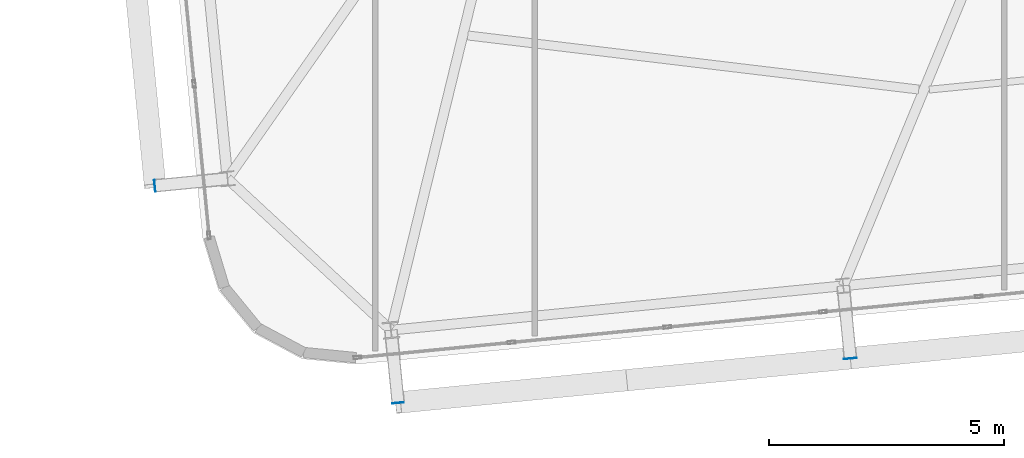
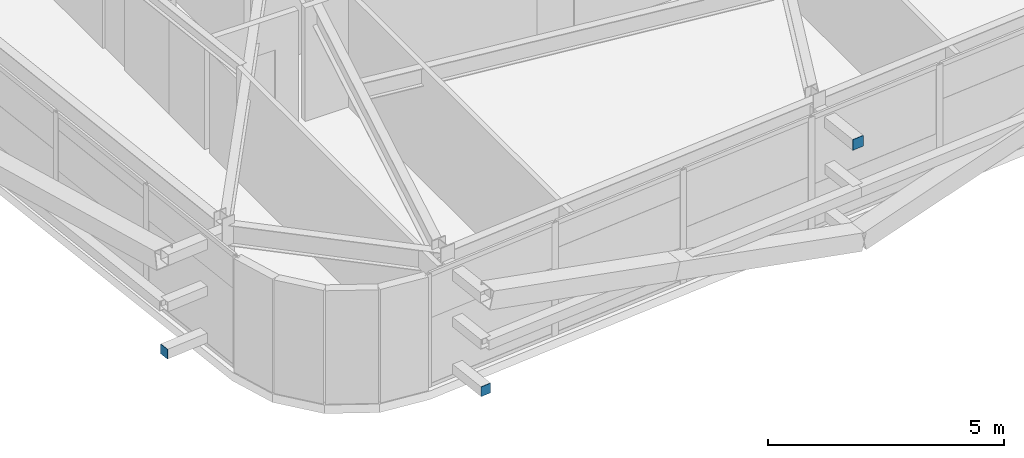
# One storey, part 38 of 52: 3 plates.
"""IFC4 building model written with IfcOpenShell, lengths in metres."""

from ifc_helpers import new_model, si_unit, direction, frame, origin, origin_2d, place, context, subcontext, project, spatial, rectangle, extrude, source, transform, mapped, material, layer, layer_set, type_object, element, save


model = new_model("IFC4")

# Units and contexts
model_context = context("Model", 3, precision=1e-05, world=origin(), true_north=direction((0.0, 1.0)))
body_context = subcontext(model_context, "Body", "Model", "MODEL_VIEW")
ifc_project = project(units=[si_unit("LENGTHUNIT", "METRE"), si_unit("AREAUNIT", "SQUARE_METRE"), si_unit("VOLUMEUNIT", "CUBIC_METRE"), si_unit("PLANEANGLEUNIT", "RADIAN"), si_unit("MASSUNIT", "GRAM", prefix="KILO")], contexts=[model_context])

# Site, building, storey
site_placement = place(None, origin())
site = spatial("IfcSite", under=ifc_project, at=site_placement, CompositionType="ELEMENT")
building_placement = place(site_placement, origin())
building = spatial("IfcBuilding", under=site, at=building_placement, Name="Taldren Reach Tower", CompositionType="ELEMENT")
storey_placement = place(building_placement, frame((0.0, 0.0, 96.60009765625)))
storey = spatial("IfcBuildingStorey", under=building, at=storey_placement, Name="L29", CompositionType="ELEMENT", Elevation=96.60009765625)

# Plates
ifc_material_1 = material(Name="Steel Gr 450 (C450L0)", Category="steel")
ifc_layer_1 = layer(ifc_material_1, 0.011962890625)
ifc_layer_set_1 = layer_set([ifc_layer_1], Name="Steel Gr 450 (C450L0)")
plate_type_1 = type_object("IfcPlateType", Name="PL-CAP-275", PredefinedType="SHEET", material=ifc_layer_set_1)
shared_shape_1 = source(origin(), body_context, "Body", "SweptSolid", [
    extrude(rectangle(XDim=0.27490234375, YDim=0.011962890625, at=origin_2d()), origin(), (0.0, 0.0, 1.0), 0.27490234375),
])
plate_1_placement = place(storey_placement, frame((24.7197265625, -0.683837890625, 2.512451171875), z_axis=(0.0, 0.0, 1.0), x_axis=(0.995227399982, 0.097582899759, 0.0)))
element("IfcPlate", 1, at=plate_1_placement, inside=storey, type_object=plate_type_1, Name="Tie strut end cap plate B2-S2 L29", PredefinedType="SHEET", context=body_context, shape_type="MappedRepresentation", body=[
    mapped(shared_shape_1, transform((0.0, 0.0, 0.0), scale=1.0)),
])
ifc_material_2 = material(Name="Steel Gr 350 (C350L0)", Category="steel")
ifc_layer_2 = layer(ifc_material_2, 0.011962890625)
ifc_layer_set_2 = layer_set([ifc_layer_2], Name="Steel Gr 350 (C350L0)")
plate_type_2 = type_object("IfcPlateType", Name="PL-CAP-250", PredefinedType="SHEET", material=ifc_layer_set_2)
shared_shape_2 = source(origin(), body_context, "Body", "SweptSolid", [
    extrude(rectangle(XDim=0.25, YDim=0.011962890625, at=origin_2d()), origin(), (0.0, 0.0, 1.0), 0.25),
])
plate_2_placement = place(storey_placement, frame((15.0859375, -1.62841796875, 0.094970703125), z_axis=(0.0, 0.0, 1.0), x_axis=(0.995227399982, 0.097582899759, 0.0)))
element("IfcPlate", 2, at=plate_2_placement, inside=storey, type_object=plate_type_2, Name="Tie strut end cap plate B2-S1 L29", PredefinedType="SHEET", context=body_context, shape_type="MappedRepresentation", body=[
    mapped(shared_shape_2, transform((0.0, 0.0, 0.0), scale=1.0)),
])
shared_shape_3 = source(origin(), body_context, "Body", "SweptSolid", [
    extrude(rectangle(XDim=0.011962890625, YDim=0.25, at=origin_2d()), origin(), (0.0, 0.0, 1.0), 0.25),
])
plate_3_placement = place(storey_placement, frame((9.904296875, 2.993896484375, 0.094970703125), z_axis=(0.0, 0.0, 1.0), x_axis=(0.995227399982, 0.097582899759, 0.0)))
element("IfcPlate", 3, at=plate_3_placement, inside=storey, type_object=plate_type_2, Name="Tie strut end cap plate B2-W1 L29", PredefinedType="SHEET", context=body_context, shape_type="MappedRepresentation", body=[
    mapped(shared_shape_3, transform((0.0, 0.0, 0.0), scale=1.0)),
])

save(model, "model.ifc")
